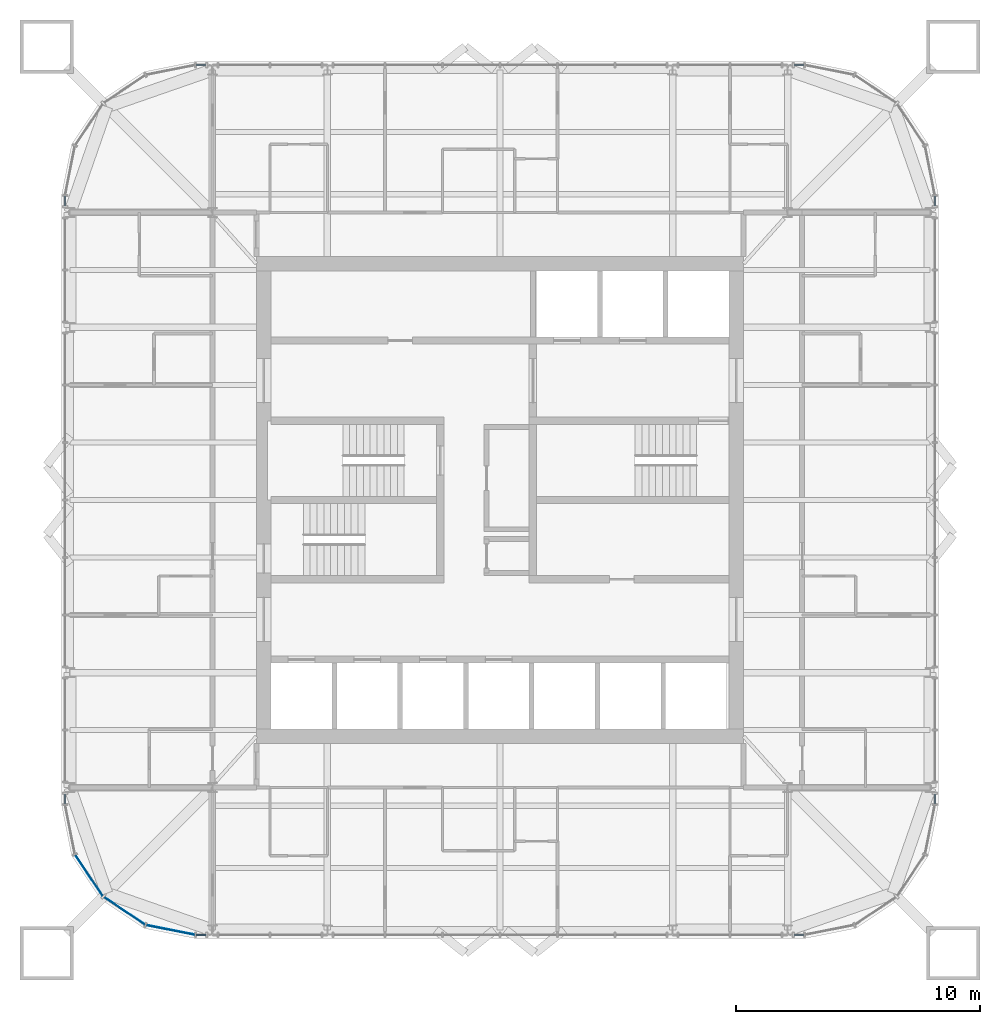
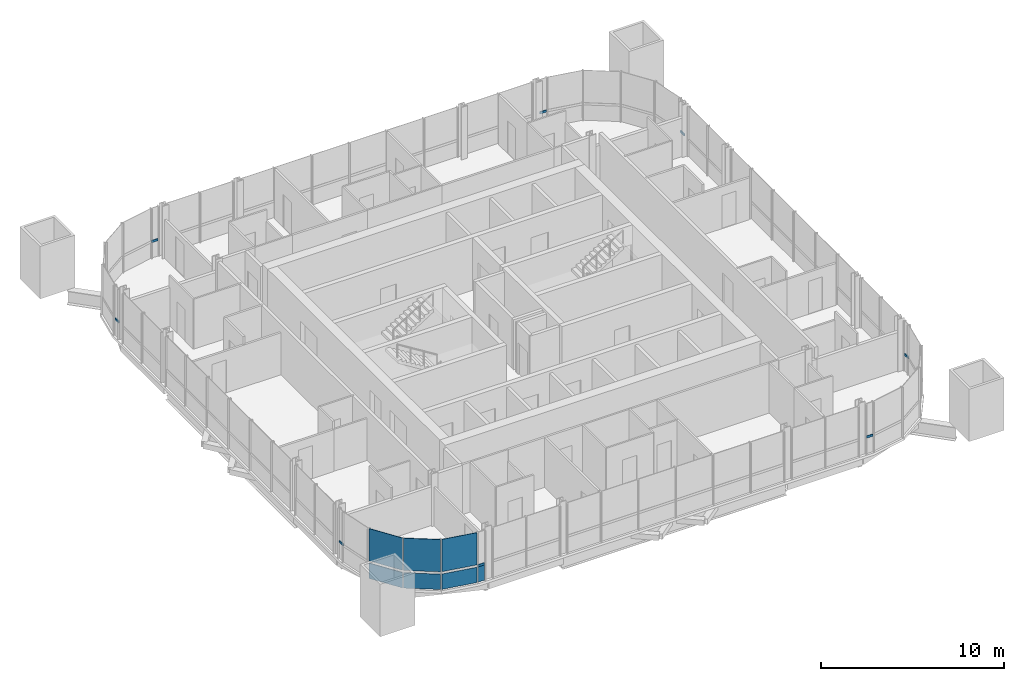
# One storey, part 7 of 17: 8 members, 7 plates, 9 elements without a shape of their own.
"""IFC4 building model written with IfcOpenShell, lengths in metres."""

import ifcopenshell
import ifcopenshell.guid

model = None  # the IFC model being written
_history = None  # IfcOwnerHistory: only IFC2X3 demands one
_inside = {}  # id of a spatial element -> (the spatial element, [elements in it])
_under = {}  # id of a project, library or spatial element -> (it, [spatial elements below it])
_declared = {}  # id of a project -> (the project, [libraries it declares])
_typed = {}  # id of a type object -> (the type object, [elements of that type])
_made_of = {}  # id of a material, layer set ... -> (it, [elements and type objects made of it])


def new_model(schema):
    """Start an empty IFC model of exactly this schema.

    Asked for "IFC4X3", IfcOpenShell would pick the latest addendum, in which some entities
    have other attributes; the version numbers below select the first issue.
    IFC2X3 requires an IfcOwnerHistory on every rooted entity: one is made here for all.
    """
    global model, _history
    if schema == "IFC4X3":
        model = ifcopenshell.file(schema_version=(4, 3, 0, 0))
    else:
        model = ifcopenshell.file(schema=schema)
    _inside.clear()
    _under.clear()
    _declared.clear()
    _typed.clear()
    _made_of.clear()
    _history = None
    if model.schema == "IFC2X3":
        org = make("IfcOrganization", Name="unknown")
        user = make(
            "IfcPersonAndOrganization",
            ThePerson=make("IfcPerson", FamilyName="unknown"),
            TheOrganization=org,
        )
        app = make(
            "IfcApplication",
            ApplicationDeveloper=org,
            Version="unknown",
            ApplicationFullName="unknown",
            ApplicationIdentifier="unknown",
        )
        _history = make(
            "IfcOwnerHistory",
            OwningUser=user,
            OwningApplication=app,
            ChangeAction="ADDED",
            CreationDate=0,
        )
    return model


def make(cls, **values):
    """One entity of the class cls with the attributes given. An attribute that is None is left unset."""
    return model.create_entity(
        cls, **{name: value for name, value in values.items() if value is not None}
    )


def rooted(cls, **values):
    """An entity with a GlobalId (a new one), such as an element, a storey or a relation."""
    return make(cls, GlobalId=ifcopenshell.guid.new(), OwnerHistory=_history, **values)


def si_unit(unit_type, name, prefix=None):
    """IfcSIUnit, for example si_unit("LENGTHUNIT", "METRE", prefix="MILLI")."""
    return make("IfcSIUnit", UnitType=unit_type, Prefix=prefix, Name=name)


def assignment(units):
    """IfcUnitAssignment: the units of a project."""
    return None if units is None else make("IfcUnitAssignment", Units=units)


def point(xyz):
    """IfcCartesianPoint."""
    return None if xyz is None else make("IfcCartesianPoint", Coordinates=xyz)


def direction(xyz):
    """IfcDirection."""
    return None if xyz is None else make("IfcDirection", DirectionRatios=xyz)


def frame(location, z_axis=None, x_axis=None):
    """IfcAxis2Placement3D, a coordinate frame: its origin and axes. An axis left out is left unset."""
    return make(
        "IfcAxis2Placement3D",
        Location=point(location),
        Axis=direction(z_axis),
        RefDirection=direction(x_axis),
    )


def frame_2d(location, x_axis=None):
    """IfcAxis2Placement2D, a coordinate frame in the plane: its origin and x axis."""
    return make(
        "IfcAxis2Placement2D", Location=point(location), RefDirection=direction(x_axis)
    )


def origin():
    """The frame at (0, 0, 0) with its axes left unset."""
    return frame((0.0, 0.0, 0.0))


def origin_2d():
    """The frame at (0, 0) in the plane with its x axis left unset."""
    return frame_2d((0.0, 0.0))


def place(relative_to, where):
    """IfcLocalPlacement: puts the frame where relative to a parent placement (None: the world)."""
    return make(
        "IfcLocalPlacement", PlacementRelTo=relative_to, RelativePlacement=where
    )


def context(
    kind, dimensions, precision=None, world=None, true_north=None, identifier=None
):
    """IfcGeometricRepresentationContext, for example the 3D "Model" context."""
    return make(
        "IfcGeometricRepresentationContext",
        ContextIdentifier=identifier,
        ContextType=kind,
        CoordinateSpaceDimension=dimensions,
        Precision=precision,
        WorldCoordinateSystem=world,
        TrueNorth=true_north,
    )


def subcontext(parent, identifier, kind, view, scale=None):
    """IfcGeometricRepresentationSubContext, for example "Body" below "Model"."""
    return make(
        "IfcGeometricRepresentationSubContext",
        ContextIdentifier=identifier,
        ContextType=kind,
        ParentContext=parent,
        TargetScale=scale,
        TargetView=view,
    )


def project(units=None, contexts=None):
    """IfcProject with its units and contexts."""
    return rooted(
        "IfcProject",
        Name="project",
        RepresentationContexts=contexts,
        UnitsInContext=assignment(units),
    )


def spatial(cls, under=None, at=None, **own):
    """A site, building, storey or space (cls), placed at a placement, below another one or the project."""
    s = rooted(cls, ObjectPlacement=at, **own)
    if under is not None:
        _under.setdefault(under.id(), (under, []))[1].append(s)
    return s


def profile(cls, at=None, kind="AREA", **sizes):
    """A parametric profile (cls). Its sizes go by their IFC names, for example OverallWidth=200.0."""
    return make(cls, ProfileType=kind, Position=at, **sizes)


def rectangle(**sizes):
    """IfcRectangleProfileDef."""
    return profile("IfcRectangleProfileDef", **sizes)


def extrude(swept, where, along, depth):
    """IfcExtrudedAreaSolid: the profile swept, set in the frame where, extruded along a direction by depth."""
    return make(
        "IfcExtrudedAreaSolid",
        SweptArea=swept,
        Position=where,
        ExtrudedDirection=direction(along),
        Depth=depth,
    )


def shape(context_of_items, identifier, shape_type, items):
    """IfcShapeRepresentation: the items that make up one representation, for example the "Body"."""
    return make(
        "IfcShapeRepresentation",
        ContextOfItems=context_of_items,
        RepresentationIdentifier=identifier,
        RepresentationType=shape_type,
        Items=items,
    )


def material(Name=None, Category=None):
    """IfcMaterial."""
    return make("IfcMaterial", Name=Name, Category=Category)


def layer(
    of_material, thickness, ventilated=None, Name=None, Category=None, Priority=None
):
    """IfcMaterialLayer: one layer of a wall or slab, of a material (None: an air gap)."""
    return make(
        "IfcMaterialLayer",
        Material=of_material,
        LayerThickness=thickness,
        IsVentilated=ventilated,
        Name=Name,
        Category=Category,
        Priority=Priority,
    )


def layer_set(layers, Name=None):
    """IfcMaterialLayerSet."""
    return make("IfcMaterialLayerSet", MaterialLayers=layers, LayerSetName=Name)


def material_profile(
    of_material, cross_section, Name=None, Category=None, Priority=None
):
    """IfcMaterialProfile: a cross section and its material."""
    return make(
        "IfcMaterialProfile",
        Name=Name,
        Material=of_material,
        Profile=cross_section,
        Priority=Priority,
        Category=Category,
    )


def profile_set(profiles, Name=None, composite=None):
    """IfcMaterialProfileSet."""
    return make(
        "IfcMaterialProfileSet",
        Name=Name,
        MaterialProfiles=profiles,
        CompositeProfile=composite,
    )


def made_of(thing, what):
    """Note that an element or type object is made of a material, layer set ...; save() writes the relation."""
    if what is not None:
        _made_of.setdefault(what.id(), (what, []))[1].append(thing)
    return thing


def type_object(cls, material=None, **own):
    """A type object (cls), such as IfcWallType, which elements share."""
    return made_of(rooted(cls, **own), material)


def element(
    cls,
    number,
    at=None,
    inside=None,
    cuts=None,
    type_object=None,
    material=None,
    context=None,
    identifier="Body",
    shape_type=None,
    held_by="IfcProductDefinitionShape",
    body=None,
    shapes=None,
    **own,
):
    """One element of the class cls, such as IfcWall. Its Tag is "e" and its number.

    at: its placement. inside: the storey or other place that contains it. cuts: it is an
    opening in that element (IfcRelVoidsElement). A single representation is given by context,
    identifier, shape_type and body (its items); several are given by shapes. held_by: the class
    of the entity that holds the representations. save() writes the other relations.
    """
    e = rooted(cls, Tag="e%d" % number, ObjectPlacement=at, **own)
    if body is not None:
        shapes = [shape(context, identifier, shape_type, body)]
    if shapes is not None:
        e.Representation = make(held_by, Representations=shapes)
    if inside is not None:
        _inside.setdefault(inside.id(), (inside, []))[1].append(e)
    if cuts is not None:
        rooted(
            "IfcRelVoidsElement", RelatingBuildingElement=cuts, RelatedOpeningElement=e
        )
    if type_object is not None:
        _typed.setdefault(type_object.id(), (type_object, []))[1].append(e)
    return made_of(e, material)


def aggregate(whole, parts):
    """IfcRelAggregates: a whole, such as a stair, and the parts it consists of."""
    return rooted("IfcRelAggregates", RelatingObject=whole, RelatedObjects=parts)


def save(model, path):
    """Write the relations noted so far, then the file.

    IfcRelAggregates (storeys below a building ...), IfcRelContainedInSpatialStructure (elements
    in a storey), IfcRelDefinesByType, IfcRelAssociatesMaterial and IfcRelDeclares: one each for
    every whole, place, type object, material and project.
    """
    for whole, parts in _under.values():
        aggregate(whole, parts)
    for where, things in _inside.values():
        rooted(
            "IfcRelContainedInSpatialStructure",
            RelatedElements=things,
            RelatingStructure=where,
        )
    for kind, things in _typed.values():
        rooted("IfcRelDefinesByType", RelatedObjects=things, RelatingType=kind)
    for what, things in _made_of.values():
        rooted("IfcRelAssociatesMaterial", RelatedObjects=things, RelatingMaterial=what)
    for by, libraries in _declared.values():
        rooted("IfcRelDeclares", RelatingContext=by, RelatedDefinitions=libraries)
    model.write(path)


model = new_model("IFC4")

# Units and contexts
model_context = context("Model", 3, precision=1e-05, world=origin(), true_north=direction((0.0, 1.0)))
body_context = subcontext(model_context, "Body", "Model", "MODEL_VIEW")
ifc_project = project(units=[si_unit("LENGTHUNIT", "METRE"), si_unit("AREAUNIT", "SQUARE_METRE"), si_unit("VOLUMEUNIT", "CUBIC_METRE"), si_unit("PLANEANGLEUNIT", "RADIAN"), si_unit("MASSUNIT", "GRAM", prefix="KILO")], contexts=[model_context])

# Site, building, storey
site_placement = place(None, origin())
site = spatial("IfcSite", under=ifc_project, at=site_placement, CompositionType="ELEMENT")
building_placement = place(site_placement, origin())
building = spatial("IfcBuilding", under=site, at=building_placement, Name="Turquesa Mirador Hotel Tower", CompositionType="ELEMENT")
storey_placement = place(building_placement, frame((0.0, 0.0, 251.199951171875)))
storey = spatial("IfcBuildingStorey", under=building, at=storey_placement, Name="L68", CompositionType="ELEMENT", Elevation=251.199951171875)

# Curtain wall, member
ifc_material_1 = material(Name="Aluminium extrusion", Category="aluminium")
curtain_wall_type = type_object("IfcCurtainWallType", Name="CW-4 SUITE FRITTED CURTAIN WALL", PredefinedType="USERDEFINED", material=ifc_material_1)
curtain_wall_1_placement = place(storey_placement, origin())
curtain_wall_1 = element("IfcCurtainWall", 1, at=curtain_wall_1_placement, inside=storey, type_object=curtain_wall_type, Name="CW-4 SUITE FRITTED CURTAIN WALL L68", ObjectType="CURTAIN WALL", PredefinedType="USERDEFINED")
ifc_material_2 = material(Name="Aluminium extrusion", Category="aluminium")
ifc_material_profile = material_profile(ifc_material_2, rectangle(XDim=0.06494140625, YDim=0.14990234375, at=origin_2d()), Name="TRANSOM 65X150")
ifc_profile_set = profile_set([ifc_material_profile], Name="Aluminium extrusion")
member_type = type_object("IfcMemberType", Name="CW TRANSOM 65X150", PredefinedType="USERDEFINED", material=ifc_profile_set)
member_1_placement = place(storey_placement, frame((72.85009765625, 32.532470703125, 1.10009765625), z_axis=(0.0, 1.0, 0.0), x_axis=(-1.0, 0.0, 0.0)))
member_1 = element("IfcMember", 2, at=member_1_placement, type_object=member_type, Name="Transom", ObjectType="TRANSOM", PredefinedType="USERDEFINED", context=body_context, shape_type="SweptSolid", body=[
    extrude(rectangle(XDim=0.06494140625, YDim=0.14990234375, at=origin_2d()), origin(), (0.0, 0.0, 1.0), 0.401123046875),
])
aggregate(curtain_wall_1, [member_1])

curtain_wall_2_placement = place(storey_placement, origin())
curtain_wall_2 = element("IfcCurtainWall", 3, at=curtain_wall_2_placement, inside=storey, type_object=curtain_wall_type, Name="CW-4 SUITE FRITTED CURTAIN WALL L68", ObjectType="CURTAIN WALL", PredefinedType="USERDEFINED")
member_2_placement = place(storey_placement, frame((72.85009765625, 57.06640625, 1.10009765625), z_axis=(0.0, 1.0, 0.0), x_axis=(-1.0, 0.0, 0.0)))
member_2 = element("IfcMember", 4, at=member_2_placement, type_object=member_type, Name="Transom", ObjectType="TRANSOM", PredefinedType="USERDEFINED", context=body_context, shape_type="SweptSolid", body=[
    extrude(rectangle(XDim=0.06494140625, YDim=0.14990234375, at=origin_2d()), origin(), (0.0, 0.0, 1.0), 0.401123046875),
])
aggregate(curtain_wall_2, [member_2])

curtain_wall_3_placement = place(storey_placement, origin())
curtain_wall_3 = element("IfcCurtainWall", 5, at=curtain_wall_3_placement, inside=storey, type_object=curtain_wall_type, Name="CW-4 SUITE FRITTED CURTAIN WALL L68", ObjectType="CURTAIN WALL", PredefinedType="USERDEFINED")
member_3_placement = place(storey_placement, frame((67.467529296875, 62.85009765625, 1.10009765625), z_axis=(-1.0, 0.0, 0.0), x_axis=(0.0, -1.0, 0.0)))
member_3 = element("IfcMember", 6, at=member_3_placement, type_object=member_type, Name="Transom", ObjectType="TRANSOM", PredefinedType="USERDEFINED", context=body_context, shape_type="SweptSolid", body=[
    extrude(rectangle(XDim=0.06494140625, YDim=0.14990234375, at=origin_2d()), origin(), (0.0, 0.0, 1.0), 0.401123046875),
])
aggregate(curtain_wall_3, [member_3])

curtain_wall_4_placement = place(storey_placement, origin())
curtain_wall_4 = element("IfcCurtainWall", 7, at=curtain_wall_4_placement, inside=storey, type_object=curtain_wall_type, Name="CW-4 SUITE FRITTED CURTAIN WALL L68", ObjectType="CURTAIN WALL", PredefinedType="USERDEFINED")
member_4_placement = place(storey_placement, frame((42.93359375, 62.85009765625, 1.10009765625), z_axis=(-1.0, 0.0, 0.0), x_axis=(0.0, -1.0, 0.0)))
member_4 = element("IfcMember", 8, at=member_4_placement, type_object=member_type, Name="Transom", ObjectType="TRANSOM", PredefinedType="USERDEFINED", context=body_context, shape_type="SweptSolid", body=[
    extrude(rectangle(XDim=0.06494140625, YDim=0.14990234375, at=origin_2d()), origin(), (0.0, 0.0, 1.0), 0.401123046875),
])
aggregate(curtain_wall_4, [member_4])

curtain_wall_5_placement = place(storey_placement, origin())
curtain_wall_5 = element("IfcCurtainWall", 9, at=curtain_wall_5_placement, inside=storey, type_object=curtain_wall_type, Name="CW-4 SUITE FRITTED CURTAIN WALL L68", ObjectType="CURTAIN WALL", PredefinedType="USERDEFINED")
member_5_placement = place(storey_placement, frame((37.14990234375, 57.467529296875, 1.10009765625), z_axis=(0.0, -1.0, 0.0), x_axis=(1.0, 0.0, 0.0)))
member_5 = element("IfcMember", 10, at=member_5_placement, type_object=member_type, Name="Transom", ObjectType="TRANSOM", PredefinedType="USERDEFINED", context=body_context, shape_type="SweptSolid", body=[
    extrude(rectangle(XDim=0.06494140625, YDim=0.14990234375, at=origin_2d()), origin(), (0.0, 0.0, 1.0), 0.401123046875),
])
aggregate(curtain_wall_5, [member_5])

curtain_wall_6_placement = place(storey_placement, origin())
curtain_wall_6 = element("IfcCurtainWall", 11, at=curtain_wall_6_placement, inside=storey, type_object=curtain_wall_type, Name="CW-4 SUITE FRITTED CURTAIN WALL L68", ObjectType="CURTAIN WALL", PredefinedType="USERDEFINED")
member_6_placement = place(storey_placement, frame((37.14990234375, 32.93359375, 1.10009765625), z_axis=(0.0, -1.0, 0.0), x_axis=(1.0, 0.0, 0.0)))
member_6 = element("IfcMember", 12, at=member_6_placement, type_object=member_type, Name="Transom", ObjectType="TRANSOM", PredefinedType="USERDEFINED", context=body_context, shape_type="SweptSolid", body=[
    extrude(rectangle(XDim=0.06494140625, YDim=0.14990234375, at=origin_2d()), origin(), (0.0, 0.0, 1.0), 0.401123046875),
])
aggregate(curtain_wall_6, [member_6])

curtain_wall_7_placement = place(storey_placement, origin())
curtain_wall_7 = element("IfcCurtainWall", 13, at=curtain_wall_7_placement, inside=storey, type_object=curtain_wall_type, Name="CW-4 SUITE FRITTED CURTAIN WALL L68", ObjectType="CURTAIN WALL", PredefinedType="USERDEFINED")
member_7_placement = place(storey_placement, frame((42.532470703125, 27.14990234375, 1.10009765625), z_axis=(1.0, 0.0, 0.0), x_axis=(0.0, 1.0, 0.0)))
member_7 = element("IfcMember", 14, at=member_7_placement, type_object=member_type, Name="Transom", ObjectType="TRANSOM", PredefinedType="USERDEFINED", context=body_context, shape_type="SweptSolid", body=[
    extrude(rectangle(XDim=0.06494140625, YDim=0.14990234375, at=origin_2d()), origin(), (0.0, 0.0, 1.0), 0.401123046875),
])

curtain_wall_8_placement = place(storey_placement, origin())
curtain_wall_8 = element("IfcCurtainWall", 15, at=curtain_wall_8_placement, inside=storey, type_object=curtain_wall_type, Name="CW-4 SUITE FRITTED CURTAIN WALL L68", ObjectType="CURTAIN WALL", PredefinedType="USERDEFINED")
member_8_placement = place(storey_placement, frame((67.06640625, 27.14990234375, 1.10009765625), z_axis=(1.0, 0.0, 0.0), x_axis=(0.0, 1.0, 0.0)))
member_8 = element("IfcMember", 16, at=member_8_placement, type_object=member_type, Name="Transom", ObjectType="TRANSOM", PredefinedType="USERDEFINED", context=body_context, shape_type="SweptSolid", body=[
    extrude(rectangle(XDim=0.06494140625, YDim=0.14990234375, at=origin_2d()), origin(), (0.0, 0.0, 1.0), 0.401123046875),
])
aggregate(curtain_wall_8, [member_8])

# Curtain wall, plates
curtain_wall_9_placement = place(storey_placement, origin())
curtain_wall_9 = element("IfcCurtainWall", 17, at=curtain_wall_9_placement, inside=storey, type_object=curtain_wall_type, Name="CW-4 SUITE FRITTED CURTAIN WALL L68", ObjectType="CURTAIN WALL", PredefinedType="USERDEFINED")
ifc_material_3 = material(Name="Ceramic-printed spandrel glass on an insulated back pan", Category="glass")
ifc_layer_1 = layer(ifc_material_3, 0.050048828125)
ifc_layer_set_1 = layer_set([ifc_layer_1], Name="CW PANEL SPANDREL CERAMIC")
plate_type_1 = type_object("IfcPlateType", Name="CW PANEL SPANDREL CERAMIC", PredefinedType="CURTAIN_PANEL", material=ifc_layer_set_1)
plate_1_placement = place(storey_placement, frame((38.13720703125, 29.584716796875, 0.0), z_axis=(0.0, 0.0, 1.0), x_axis=(0.555570141754, -0.831469673284, 0.0)))
plate_1 = element("IfcPlate", 18, at=plate_1_placement, type_object=plate_type_1, Name="Panel", PredefinedType="CURTAIN_PANEL", context=body_context, shape_type="SweptSolid", body=[
    extrude(rectangle(XDim=2.0224609375, YDim=0.050048828125, at=origin_2d()), origin(), (0.0, 0.0, 1.0), 1.02490234375),
])
plate_2_placement = place(storey_placement, frame((39.584716796875, 28.13720703125, 0.0), z_axis=(0.0, 0.0, 1.0), x_axis=(0.831469673284, -0.555570141754, 0.0)))
plate_2 = element("IfcPlate", 19, at=plate_2_placement, type_object=plate_type_1, Name="Panel", PredefinedType="CURTAIN_PANEL", context=body_context, shape_type="SweptSolid", body=[
    extrude(rectangle(XDim=2.0224609375, YDim=0.050048828125, at=origin_2d()), origin(), (0.0, 0.0, 1.0), 1.02490234375),
])
plate_3_placement = place(storey_placement, frame((41.476318359375, 27.353515625, 0.0), z_axis=(0.0, 0.0, 1.0), x_axis=(0.980785228048, -0.195090585221, 0.0)))
plate_3 = element("IfcPlate", 20, at=plate_3_placement, type_object=plate_type_1, Name="Panel", PredefinedType="CURTAIN_PANEL", context=body_context, shape_type="SweptSolid", body=[
    extrude(rectangle(XDim=2.0224609375, YDim=0.050048828125, at=origin_2d()), origin(), (0.0, 0.0, 1.0), 1.02490234375),
])

# Plate
plate_4_placement = place(storey_placement, frame((42.733154296875, 27.14990234375, 0.0), z_axis=(0.0, 0.0, 1.0), x_axis=(1.0, 0.0, 0.0)))
plate_4 = element("IfcPlate", 21, at=plate_4_placement, type_object=plate_type_1, Name="Panel", PredefinedType="CURTAIN_PANEL", context=body_context, shape_type="SweptSolid", body=[
    extrude(rectangle(XDim=0.401123046875, YDim=0.050048828125, at=origin_2d()), origin(), (0.0, 0.0, 1.0), 1.02490234375),
])

aggregate(curtain_wall_7, [member_7, plate_4])

ifc_material_4 = material(Name="Ceramic-fritted laminated glass", Category="glass")
ifc_layer_2 = layer(ifc_material_4, 0.031982421875)
ifc_layer_set_2 = layer_set([ifc_layer_2], Name="CW PANEL VISION FRITTED")
plate_type_2 = type_object("IfcPlateType", Name="CW PANEL VISION FRITTED", PredefinedType="CURTAIN_PANEL", material=ifc_layer_set_2)
plate_5_placement = place(storey_placement, frame((38.13720703125, 29.584716796875, 1.1748046875), z_axis=(0.0, 0.0, 1.0), x_axis=(0.555570141754, -0.831469673284, 0.0)))
plate_5 = element("IfcPlate", 22, at=plate_5_placement, type_object=plate_type_2, Name="Panel", PredefinedType="CURTAIN_PANEL", context=body_context, shape_type="SweptSolid", body=[
    extrude(rectangle(XDim=2.0224609375, YDim=0.031982421875, at=origin_2d()), origin(), (0.0, 0.0, 1.0), 2.155029296875),
])

plate_6_placement = place(storey_placement, frame((39.584716796875, 28.13720703125, 1.1748046875), z_axis=(0.0, 0.0, 1.0), x_axis=(0.831469673284, -0.555570141754, 0.0)))
plate_6 = element("IfcPlate", 23, at=plate_6_placement, type_object=plate_type_2, Name="Panel", PredefinedType="CURTAIN_PANEL", context=body_context, shape_type="SweptSolid", body=[
    extrude(rectangle(XDim=2.0224609375, YDim=0.031982421875, at=origin_2d()), origin(), (0.0, 0.0, 1.0), 2.155029296875),
])

plate_7_placement = place(storey_placement, frame((41.476318359375, 27.353515625, 1.1748046875), z_axis=(0.0, 0.0, 1.0), x_axis=(0.980785228048, -0.195090585221, 0.0)))
plate_7 = element("IfcPlate", 24, at=plate_7_placement, type_object=plate_type_2, Name="Panel", PredefinedType="CURTAIN_PANEL", context=body_context, shape_type="SweptSolid", body=[
    extrude(rectangle(XDim=2.0224609375, YDim=0.031982421875, at=origin_2d()), origin(), (0.0, 0.0, 1.0), 2.155029296875),
])

aggregate(curtain_wall_9, [plate_1, plate_5, plate_2, plate_6, plate_3, plate_7])

save(model, "model.ifc")
